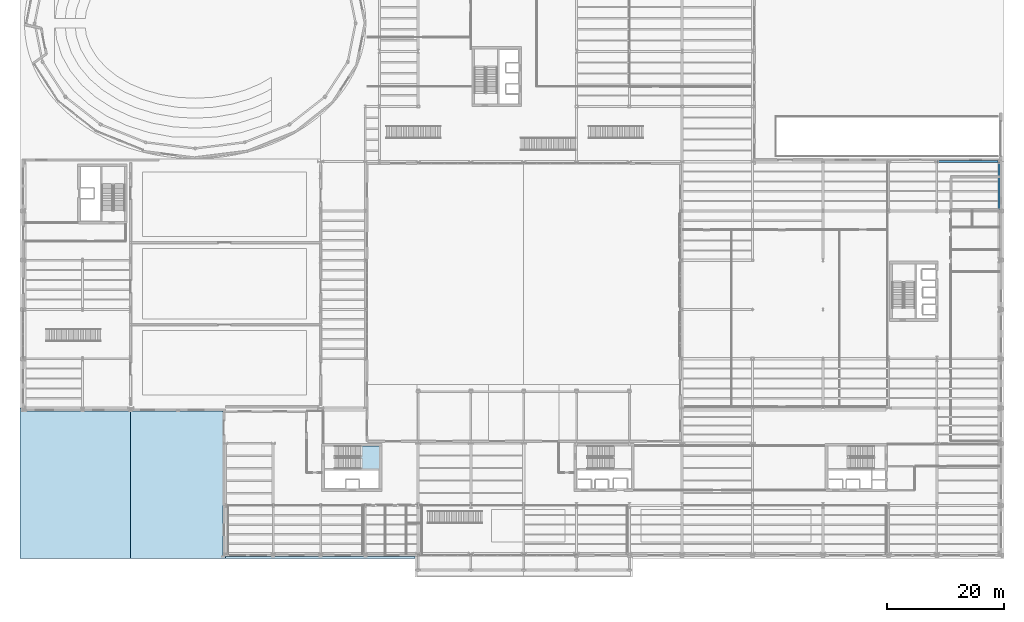
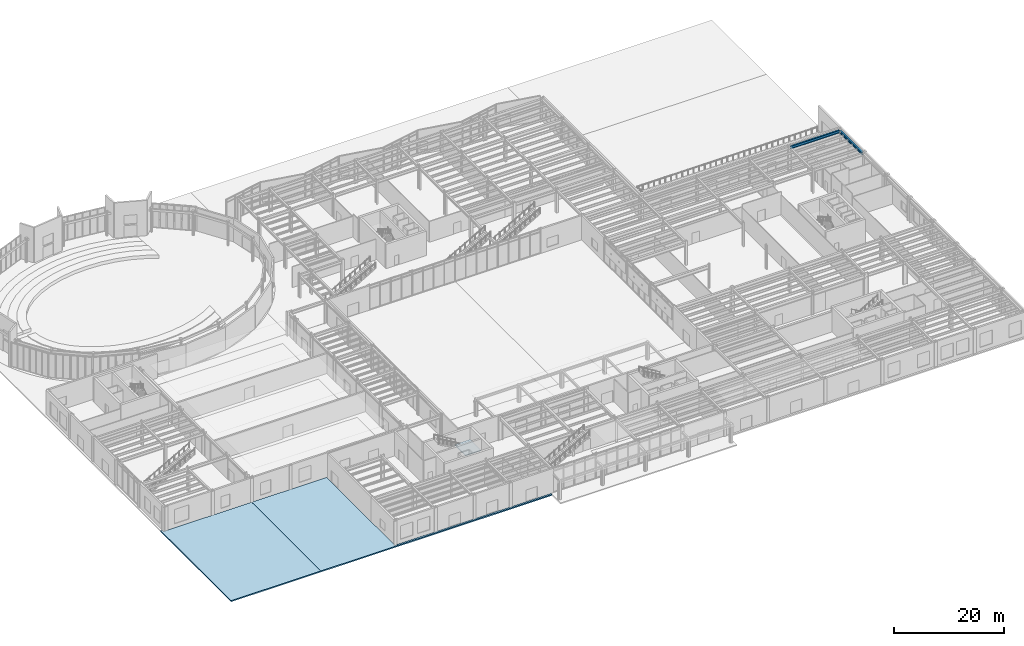
# One storey, part 61 of 94: 4 slabs, 2 beams, 1 element without a shape of its own.
"""IFC4 building model written with IfcOpenShell, lengths in metres."""

from ifc_helpers import new_model, si_unit, direction, frame, origin, origin_2d, place, context, subcontext, project, spatial, polyline, i_section, outline, extrude, material, layer, layer_set, material_profile, profile_set, type_object, element, aggregate, save


model = new_model("IFC4")

# Units and contexts
model_context = context("Model", 3, precision=1e-05, world=origin(), true_north=direction((0.0, 1.0)))
body_context = subcontext(model_context, "Body", "Model", "MODEL_VIEW")
ifc_project = project(units=[si_unit("LENGTHUNIT", "METRE"), si_unit("AREAUNIT", "SQUARE_METRE"), si_unit("VOLUMEUNIT", "CUBIC_METRE"), si_unit("PLANEANGLEUNIT", "RADIAN"), si_unit("MASSUNIT", "GRAM", prefix="KILO")], contexts=[model_context])

# Site, building, storey
site_placement = place(None, origin())
site = spatial("IfcSite", under=ifc_project, at=site_placement, CompositionType="ELEMENT")
building_placement = place(site_placement, origin())
building = spatial("IfcBuilding", under=site, at=building_placement, Name="Sollismere Congress Hotel", CompositionType="ELEMENT")
storey_placement = place(building_placement, origin())
storey = spatial("IfcBuildingStorey", under=building, at=storey_placement, Name="L00", CompositionType="ELEMENT", Elevation=0.0)

# Beams
ifc_material_1 = material(Name="Steel ASTM A992 Grade 50", Category="steel")
ifc_material_profile_1 = material_profile(ifc_material_1, i_section(OverallWidth=0.324951171875, OverallDepth=0.612060546875, WebThickness=0.0126953125, FlangeThickness=0.01904296875, at=origin_2d()), Name="W24X104")
ifc_profile_set_1 = profile_set([ifc_material_profile_1], Name="Steel ASTM A992 Grade 50")
beam_type_1 = type_object("IfcBeamType", Name="BM-G24", PredefinedType="BEAM", material=ifc_profile_set_1)
beam_1_placement = place(storey_placement, frame((155.5400390625, 66.800048828125, 4.80908203125), z_axis=(1.0, 0.0, 0.0), x_axis=(0.0, 1.0, 0.0)))
element("IfcBeam", 1, at=beam_1_placement, inside=storey, type_object=beam_type_1, Name="Beam BM-L00-1199", PredefinedType="BEAM", context=body_context, shape_type="SweptSolid", body=[
    extrude(i_section(OverallWidth=0.324951171875, OverallDepth=0.612060546875, WebThickness=0.0126953125, FlangeThickness=0.01904296875, at=origin_2d()), origin(), (0.0, 0.0, 1.0), 10.320068359375),
])
ifc_material_profile_2 = material_profile(ifc_material_1, i_section(OverallWidth=0.330078125, OverallDepth=0.635009765625, WebThickness=0.017822265625, FlangeThickness=0.031005859375, at=origin_2d()), Name="W24X162")
ifc_profile_set_2 = profile_set([ifc_material_profile_2], Name="Steel ASTM A992 Grade 50")
beam_type_2 = type_object("IfcBeamType", Name="BM-SP24E", PredefinedType="SPANDREL", material=ifc_profile_set_2)
beam_2_placement = place(storey_placement, frame((166.0, 58.5400390625, 4.797607421875), z_axis=(0.0, 1.0, 0.0), x_axis=(-1.0, 0.0, 0.0)))
element("IfcBeam", 2, at=beam_2_placement, inside=storey, type_object=beam_type_2, Name="Beam BM-L00-1316", PredefinedType="SPANDREL", context=body_context, shape_type="SweptSolid", body=[
    extrude(i_section(OverallWidth=0.330078125, OverallDepth=0.635009765625, WebThickness=0.017822265625, FlangeThickness=0.031005859375, at=origin_2d()), origin(), (0.0, 0.0, 1.0), 8.119873046875),
])

# Stair, slab
ifc_material_2 = material(Name="Concrete C40/50", Category="concrete")
stair_type = type_object("IfcStairType", Name="STR-DL-540", PredefinedType="HALF_TURN_STAIR", material=ifc_material_2)
stair_placement = place(storey_placement, origin())
stair = element("IfcStair", 3, at=stair_placement, inside=storey, type_object=stair_type, Name="Protected exit stair ST-06-L00", PredefinedType="HALF_TURN_STAIR")
ifc_layer_1 = layer(ifc_material_2, 0.199951171875, Name="Concrete C40/50")
ifc_layer_set_1 = layer_set([ifc_layer_1], Name="Concrete C40/50")
slab_type_1 = type_object("IfcSlabType", Name="SL-LND200", PredefinedType="LANDING", material=ifc_layer_set_1)
slab_1_placement = place(storey_placement, frame((0.0, 0.0, 2.5)))
slab_1 = element("IfcSlab", 4, at=slab_1_placement, type_object=slab_type_1, Name="Exit stair half-landing ST-06-L00-L1", PredefinedType="LANDING", context=body_context, shape_type="SweptSolid", body=[
    extrude(outline(polyline([(57.199951171875, 14.449951171875), (60.39990234375, 14.449951171875), (60.39990234375, 18.35009765625), (57.199951171875, 18.35009765625), (57.199951171875, 14.449951171875)])), origin(), (0.0, 0.0, 1.0), 0.199951171875),
])
aggregate(stair, [slab_1])

# Slabs
ifc_material_3 = material(Name="Precast Concrete C40/50", Category="concrete")
ifc_layer_2 = layer(ifc_material_3, 0.264892578125, Name="Precast Concrete C40/50")
ifc_layer_set_2 = layer_set([ifc_layer_2], Name="Precast Concrete C40/50")
slab_type_2 = type_object("IfcSlabType", Name="SL-PAV150", PredefinedType="USERDEFINED", material=ifc_layer_set_2)
slab_2_placement = place(storey_placement, frame((0.0, 0.0, -0.264892578125)))
element("IfcSlab", 5, at=slab_2_placement, inside=storey, type_object=slab_type_2, Name="Slab SL-L00-PV3W", ObjectType="EXTERIOR PAVING", PredefinedType="USERDEFINED", context=body_context, shape_type="SweptSolid", body=[
    extrude(outline(polyline([(-0.47998046875, 24.320068359375), (-0.47998046875, 24.800048828125), (-0.85009765625, 24.800048828125), (-0.85009765625, -0.85009765625), (18.0, -0.85009765625), (18.0, 24.320068359375), (-0.47998046875, 24.320068359375)])), origin(), (0.0, 0.0, 1.0), 0.264892578125),
])
slab_3_placement = place(storey_placement, frame((0.0, 0.0, -0.264892578125)))
element("IfcSlab", 6, at=slab_3_placement, inside=storey, type_object=slab_type_2, Name="Slab SL-L00-PV3E", ObjectType="EXTERIOR PAVING", PredefinedType="USERDEFINED", context=body_context, shape_type="SweptSolid", body=[
    extrude(outline(polyline([(33.719970703125, 24.320068359375), (18.0, 24.320068359375), (18.0, -0.85009765625), (34.199951171875, -0.85009765625), (34.199951171875, -0.47998046875), (33.719970703125, -0.47998046875), (33.719970703125, 19.280029296875), (33.719970703125, 24.320068359375)])), origin(), (0.0, 0.0, 1.0), 0.264892578125),
])
slab_4_placement = place(storey_placement, frame((0.0, 0.0, -0.264892578125)))
element("IfcSlab", 7, at=slab_4_placement, inside=storey, type_object=slab_type_2, Name="Slab SL-L00-PV5S1", ObjectType="EXTERIOR PAVING", PredefinedType="USERDEFINED", context=body_context, shape_type="SweptSolid", body=[
    extrude(outline(polyline([(66.5, -0.85009765625), (66.5, -0.47998046875), (34.199951171875, -0.47998046875), (34.199951171875, -0.85009765625), (66.5, -0.85009765625)])), origin(), (0.0, 0.0, 1.0), 0.264892578125),
])

save(model, "model.ifc")
